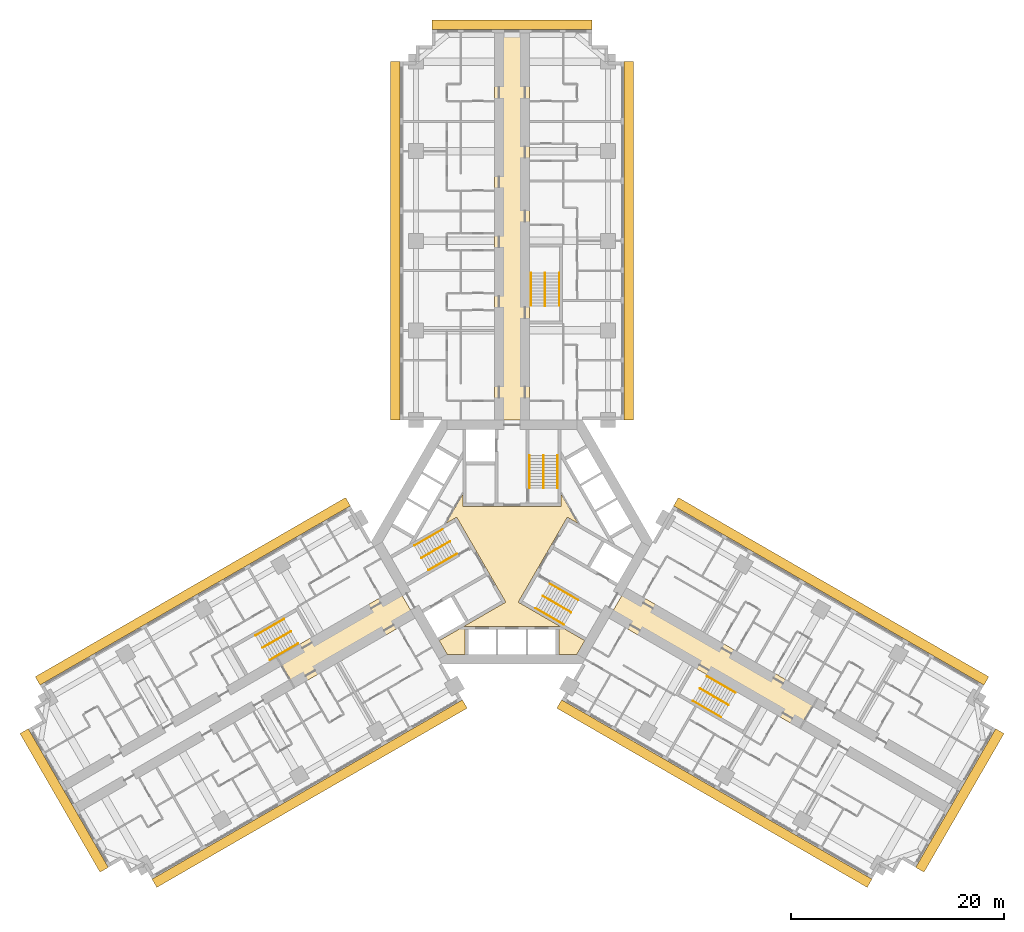
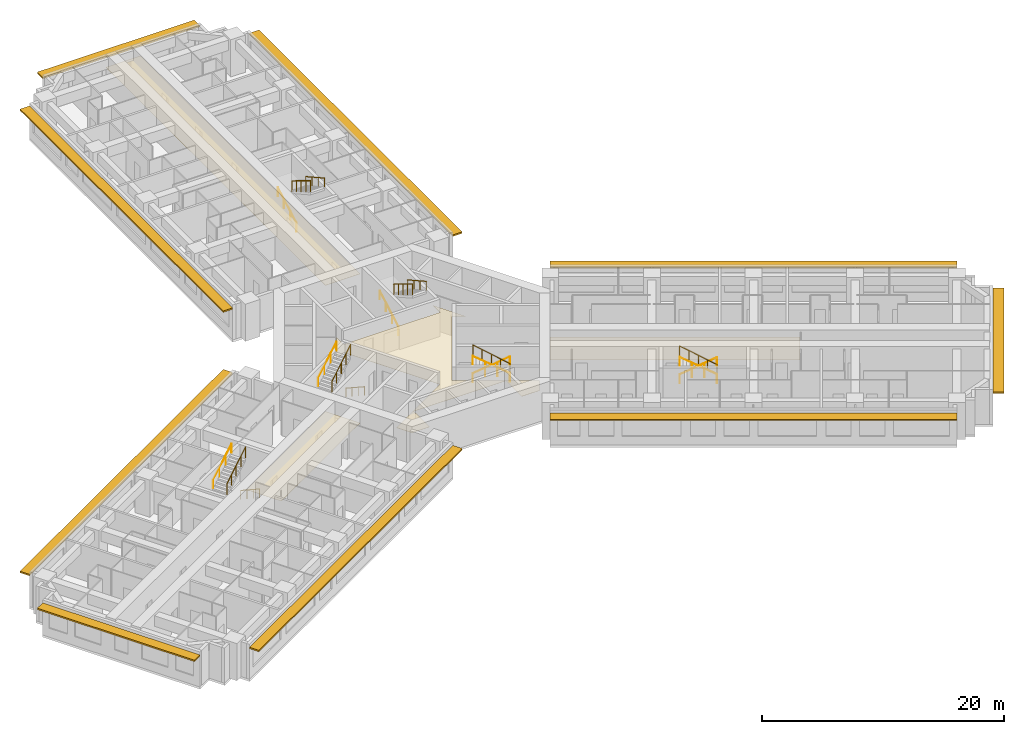
# One storey, part 16 of 16: 18 railings, 4 coverings, 3 shading devices.
"""IFC4 building model written with IfcOpenShell, lengths in metres."""

from ifc_helpers import new_model, si_unit, direction, frame, origin, origin_2d, place, context, subcontext, project, spatial, polyline, rectangle, circle, outline, extrude, material, layer, layer_set, type_object, element, save


model = new_model("IFC4")

# Units and contexts
model_context = context("Model", 3, precision=1e-05, world=origin(), true_north=direction((0.0, 1.0)))
body_context = subcontext(model_context, "Body", "Model", "MODEL_VIEW")
ifc_project = project(units=[si_unit("LENGTHUNIT", "METRE"), si_unit("AREAUNIT", "SQUARE_METRE"), si_unit("VOLUMEUNIT", "CUBIC_METRE"), si_unit("PLANEANGLEUNIT", "RADIAN"), si_unit("MASSUNIT", "GRAM", prefix="KILO")], contexts=[model_context])

# Site, building, storey
site_placement = place(None, origin())
site = spatial("IfcSite", under=ifc_project, at=site_placement, CompositionType="ELEMENT")
building_placement = place(site_placement, origin())
building = spatial("IfcBuilding", under=site, at=building_placement, Name="Impinga Residences", CompositionType="ELEMENT")
storey_placement = place(building_placement, frame((0.0, 0.0, 67.25)))
storey = spatial("IfcBuildingStorey", under=building, at=storey_placement, Name="L16", CompositionType="ELEMENT", Elevation=67.25)

# Coverings
ifc_material_1 = material(Name="Plasterboard 15 mm on steel hangers", Category="steel")
ifc_layer_1 = layer(ifc_material_1, 0.014892578125)
ifc_layer_set_1 = layer_set([ifc_layer_1], Name="Plasterboard 15 mm on steel hangers")
covering_type_1 = type_object("IfcCoveringType", Name="CL1 corridor ceiling, 15 mm plasterboard on hangers", PredefinedType="CEILING", material=ifc_layer_set_1)
covering_1_placement = place(storey_placement, frame((0.0, 0.0, 2.39990234375)))
element("IfcCovering", 1, at=covering_1_placement, inside=storey, type_object=covering_type_1, Name="Corridor ceiling CL1 L16-N00", PredefinedType="CEILING", context=body_context, shape_type="SweptSolid", body=[
    extrude(outline(polyline([(-1.64990234375, 11.431640625), (1.64990234375, 11.431640625), (1.64990234375, 47.7314453125), (-1.64990234375, 47.7314453125), (-1.64990234375, 11.431640625)])), origin(), (0.0, 0.0, 1.0), 0.01513671875),
])
covering_2_placement = place(storey_placement, frame((0.0, 0.0, 2.39990234375)))
element("IfcCovering", 2, at=covering_2_placement, inside=storey, type_object=covering_type_1, Name="Corridor ceiling CL1 L16-W00", PredefinedType="CEILING", context=body_context, shape_type="SweptSolid", body=[
    extrude(outline(polyline([(-10.72509765625, -4.286865234375), (-9.074951171875, -7.144775390625), (-20.349365234375, -13.654052734375), (-21.999267578125, -10.796142578125), (-10.72509765625, -4.286865234375)])), origin(), (0.0, 0.0, 1.0), 0.01513671875),
])
covering_3_placement = place(storey_placement, frame((0.0, 0.0, 2.39990234375)))
element("IfcCovering", 3, at=covering_3_placement, inside=storey, type_object=covering_type_1, Name="Corridor ceiling CL1 L16-E00", PredefinedType="CEILING", context=body_context, shape_type="SweptSolid", body=[
    extrude(outline(polyline([(9.074951171875, -7.144775390625), (10.72509765625, -4.286865234375), (28.60888671875, -14.612060546875), (26.958740234375, -17.469970703125), (9.074951171875, -7.144775390625)])), origin(), (0.0, 0.0, 1.0), 0.01513671875),
])
ifc_material_2 = material(Name="Mineral fibre tiles 20 mm on exposed grid", Category="mineral fibre")
ifc_layer_2 = layer(ifc_material_2, 0.02001953125)
ifc_layer_set_2 = layer_set([ifc_layer_2], Name="CL2 lift lobby ceiling, 20 mm mineral fibre tiles")
covering_type_2 = type_object("IfcCoveringType", Name="CL2 lift lobby ceiling, 20 mm mineral fibre tiles", PredefinedType="CEILING", material=ifc_layer_set_2)
covering_4_placement = place(storey_placement, frame((0.0, 0.0, 2.39990234375)))
element("IfcCovering", 4, at=covering_4_placement, inside=storey, type_object=covering_type_2, Name="Lift lobby ceiling CL2 L16-C01", PredefinedType="CEILING", context=body_context, shape_type="SweptSolid", body=[
    extrude(outline(polyline([(6.080322265625, -10.531494140625), (4.39990234375, -10.531494140625), (4.39990234375, -7.931640625), (-4.39990234375, -7.931640625), (-4.39990234375, -10.531494140625), (-6.080322265625, -10.531494140625), (-6.820556640625, -9.24951171875), (-0.583984375, -5.648681640625), (-5.183837890625, 2.318603515625), (-6.193359375, 1.73583984375), (-4.60009765625, 4.49560546875), (-4.60009765625, 3.330078125), (4.60009765625, 3.330078125), (4.60009765625, 4.49560546875), (6.193359375, 1.73583984375), (5.183837890625, 2.318603515625), (0.583984375, -5.648681640625), (6.820556640625, -9.24951171875), (6.080322265625, -10.531494140625)])), origin(), (0.0, 0.0, 1.0), 0.02001953125),
])

# Railings
ifc_material_3 = material(Name="Steel guard, powder coated", Category="steel")
railing_type_1 = type_object("IfcRailingType", Name="GR1 stair guard 1100", PredefinedType="GUARDRAIL", material=ifc_material_3)
railing_1_placement = place(storey_placement, frame((2.949951171875, 8.110107421875, 1.875)))
element("IfcRailing", 5, at=railing_1_placement, inside=storey, type_object=railing_type_1, Name="Stair guard GR1 ST1 L16", PredefinedType="GUARDRAIL", context=body_context, shape_type="SweptSolid", body=[
    extrude(circle(Radius=0.02392578125, at=origin_2d()), frame((0.0, 0.0, 1.076171875), z_axis=(0.0, -0.854177636135, 0.519981313056), x_axis=(1.0, 0.0, 0.0)), (0.0, 0.0, 1.0), 3.60595703125),
    extrude(circle(Radius=0.02099609375, at=origin_2d()), origin(), (0.0, 0.0, 1.0), 1.052001953125),
    extrude(circle(Radius=0.02099609375, at=origin_2d()), frame((0.0, -0.77001953125, 0.46875)), (0.0, 0.0, 1.0), 1.052001953125),
    extrude(circle(Radius=0.02099609375, at=origin_2d()), frame((0.0, -1.5400390625, 0.9375)), (0.0, 0.0, 1.0), 1.052001953125),
    extrude(circle(Radius=0.02099609375, at=origin_2d()), frame((0.0, -2.31005859375, 1.40625)), (0.0, 0.0, 1.0), 1.052001953125),
    extrude(circle(Radius=0.02099609375, at=origin_2d()), frame((0.0, -3.080078125, 1.875)), (0.0, 0.0, 1.0), 1.052001953125),
])
railing_2_placement = place(storey_placement, frame((-8.49853515625, -1.500244140625, 1.875)))
element("IfcRailing", 6, at=railing_2_placement, inside=storey, type_object=railing_type_1, Name="Stair guard GR1 ST2 L16", PredefinedType="GUARDRAIL", context=body_context, shape_type="SweptSolid", body=[
    extrude(circle(Radius=0.02392578125, at=origin_2d()), frame((0.0, 0.0, 1.076171875), z_axis=(0.739746383972, 0.427084037168, 0.519975492303), x_axis=(-0.499992328818, 0.866029832698, 0.0)), (0.0, 0.0, 1.0), 3.60595703125),
    extrude(circle(Radius=0.02099609375, at=origin_2d()), origin(), (0.0, 0.0, 1.0), 1.052001953125),
    extrude(circle(Radius=0.02099609375, at=origin_2d()), frame((0.6669921875, 0.385009765625, 0.46875)), (0.0, 0.0, 1.0), 1.052001953125),
    extrude(circle(Radius=0.02099609375, at=origin_2d()), frame((1.333740234375, 0.77001953125, 0.9375)), (0.0, 0.0, 1.0), 1.052001953125),
    extrude(circle(Radius=0.02099609375, at=origin_2d()), frame((2.00048828125, 1.155029296875, 1.40625)), (0.0, 0.0, 1.0), 1.052001953125),
    extrude(circle(Radius=0.02099609375, at=origin_2d()), frame((2.66748046875, 1.5400390625, 1.875)), (0.0, 0.0, 1.0), 1.052001953125),
])
railing_3_placement = place(storey_placement, frame((5.548583984375, -6.60986328125, 1.875)))
element("IfcRailing", 7, at=railing_3_placement, inside=storey, type_object=railing_type_1, Name="Stair guard GR1 ST3 L16", PredefinedType="GUARDRAIL", context=body_context, shape_type="SweptSolid", body=[
    extrude(circle(Radius=0.02392578125, at=origin_2d()), frame((0.0, 0.0, 1.076171875), z_axis=(-0.739746383972, 0.427084037168, 0.519975492303), x_axis=(-0.499992328818, -0.866029832698, 0.0)), (0.0, 0.0, 1.0), 3.60595703125),
    extrude(circle(Radius=0.02099609375, at=origin_2d()), origin(), (0.0, 0.0, 1.0), 1.052001953125),
    extrude(circle(Radius=0.02099609375, at=origin_2d()), frame((-0.6669921875, 0.385009765625, 0.46875)), (0.0, 0.0, 1.0), 1.052001953125),
    extrude(circle(Radius=0.02099609375, at=origin_2d()), frame((-1.333740234375, 0.77001953125, 0.9375)), (0.0, 0.0, 1.0), 1.052001953125),
    extrude(circle(Radius=0.02099609375, at=origin_2d()), frame((-2.00048828125, 1.155029296875, 1.40625)), (0.0, 0.0, 1.0), 1.052001953125),
    extrude(circle(Radius=0.02099609375, at=origin_2d()), frame((-2.66748046875, 1.5400390625, 1.875)), (0.0, 0.0, 1.0), 1.052001953125),
])
railing_4_placement = place(storey_placement, frame((3.10009765625, 25.21142578125, 1.875)))
element("IfcRailing", 8, at=railing_4_placement, inside=storey, type_object=railing_type_1, Name="Stair guard GR1 WS1 L16", PredefinedType="GUARDRAIL", context=body_context, shape_type="SweptSolid", body=[
    extrude(circle(Radius=0.02392578125, at=origin_2d()), frame((0.0, 0.0, 1.076171875), z_axis=(0.0, -0.854159328187, 0.520011386482), x_axis=(1.0, 0.0, 0.0)), (0.0, 0.0, 1.0), 3.605712890625),
    extrude(circle(Radius=0.02099609375, at=origin_2d()), origin(), (0.0, 0.0, 1.0), 1.052001953125),
    extrude(circle(Radius=0.02099609375, at=origin_2d()), frame((0.0, -0.77001953125, 0.46875)), (0.0, 0.0, 1.0), 1.052001953125),
    extrude(circle(Radius=0.02099609375, at=origin_2d()), frame((0.0, -1.5400390625, 0.9375)), (0.0, 0.0, 1.0), 1.052001953125),
    extrude(circle(Radius=0.02099609375, at=origin_2d()), frame((0.0, -2.309814453125, 1.40625)), (0.0, 0.0, 1.0), 1.052001953125),
    extrude(circle(Radius=0.02099609375, at=origin_2d()), frame((0.0, -3.079833984375, 1.875)), (0.0, 0.0, 1.0), 1.052001953125),
])
railing_5_placement = place(storey_placement, frame((-23.3837890625, -9.921142578125, 1.875)))
element("IfcRailing", 9, at=railing_5_placement, inside=storey, type_object=railing_type_1, Name="Stair guard GR1 WS2 L16", PredefinedType="GUARDRAIL", context=body_context, shape_type="SweptSolid", body=[
    extrude(circle(Radius=0.02392578125, at=origin_2d()), frame((0.0, 0.0, 1.076171875), z_axis=(0.739715726454, 0.427105428144, 0.52000153585), x_axis=(-0.500026652407, 0.866010015463, 0.0)), (0.0, 0.0, 1.0), 3.605712890625),
    extrude(circle(Radius=0.02099609375, at=origin_2d()), origin(), (0.0, 0.0, 1.0), 1.052001953125),
    extrude(circle(Radius=0.02099609375, at=origin_2d()), frame((0.666748046875, 0.385009765625, 0.46875)), (0.0, 0.0, 1.0), 1.052001953125),
    extrude(circle(Radius=0.02099609375, at=origin_2d()), frame((1.33349609375, 0.77001953125, 0.9375)), (0.0, 0.0, 1.0), 1.052001953125),
    extrude(circle(Radius=0.02099609375, at=origin_2d()), frame((2.00048828125, 1.155029296875, 1.40625)), (0.0, 0.0, 1.0), 1.052001953125),
    extrude(circle(Radius=0.02099609375, at=origin_2d()), frame((2.667236328125, 1.5400390625, 1.875)), (0.0, 0.0, 1.0), 1.052001953125),
])
railing_6_placement = place(storey_placement, frame((20.283935546875, -15.29052734375, 1.875)))
element("IfcRailing", 10, at=railing_6_placement, inside=storey, type_object=railing_type_1, Name="Stair guard GR1 WS3 L16", PredefinedType="GUARDRAIL", context=body_context, shape_type="SweptSolid", body=[
    extrude(circle(Radius=0.02392578125, at=origin_2d()), frame((0.0, 0.0, 1.076171875), z_axis=(-0.739746383972, 0.427084037168, 0.519975492303), x_axis=(-0.499992328818, -0.866029832698, 0.0)), (0.0, 0.0, 1.0), 3.60595703125),
    extrude(circle(Radius=0.02099609375, at=origin_2d()), origin(), (0.0, 0.0, 1.0), 1.052001953125),
    extrude(circle(Radius=0.02099609375, at=origin_2d()), frame((-0.6669921875, 0.385009765625, 0.46875)), (0.0, 0.0, 1.0), 1.052001953125),
    extrude(circle(Radius=0.02099609375, at=origin_2d()), frame((-1.333740234375, 0.77001953125, 0.9375)), (0.0, 0.0, 1.0), 1.052001953125),
    extrude(circle(Radius=0.02099609375, at=origin_2d()), frame((-2.00048828125, 1.155029296875, 1.40625)), (0.0, 0.0, 1.0), 1.052001953125),
    extrude(circle(Radius=0.02099609375, at=origin_2d()), frame((-2.66748046875, 1.5400390625, 1.875)), (0.0, 0.0, 1.0), 1.052001953125),
])
ifc_material_4 = material(Name="Steel handrail tube 42 mm, powder coated", Category="steel")
railing_type_2 = type_object("IfcRailingType", Name="HR1 stair handrail, 42 mm steel tube, 900 above the pitch line", PredefinedType="HANDRAIL", material=ifc_material_4)
railing_7_placement = place(storey_placement, frame((1.62109375, 5.030029296875, 0.15625)))
element("IfcRailing", 11, at=railing_7_placement, inside=storey, type_object=railing_type_2, Name="Stair handrail HR1 ST1 L16", PredefinedType="HANDRAIL", context=body_context, shape_type="SweptSolid", body=[
    extrude(circle(Radius=0.02099609375, at=origin_2d()), frame((0.0, 0.0, 0.87890625), z_axis=(0.0, 0.873241540666, 0.487287606713), x_axis=(-1.0, 0.0, 0.0)), (0.0, 0.0, 1.0), 3.527099609375),
    extrude(circle(Radius=0.012451171875, at=origin_2d()), origin(), (0.0, 0.0, 1.0), 0.85791015625),
    extrude(circle(Radius=0.012451171875, at=origin_2d()), frame((0.0, 1.026611328125, 0.572998046875)), (0.0, 0.0, 1.0), 0.85791015625),
    extrude(circle(Radius=0.012451171875, at=origin_2d()), frame((0.0, 2.053466796875, 1.145751953125)), (0.0, 0.0, 1.0), 0.85791015625),
    extrude(circle(Radius=0.012451171875, at=origin_2d()), frame((0.0, 3.080078125, 1.71875)), (0.0, 0.0, 1.0), 0.85791015625),
])
railing_8_placement = place(storey_placement, frame((4.279052734375, 8.110107421875, 2.03125)))
element("IfcRailing", 12, at=railing_8_placement, inside=storey, type_object=railing_type_2, Name="Stair handrail HR1 ST1 L16", PredefinedType="HANDRAIL", context=body_context, shape_type="SweptSolid", body=[
    extrude(circle(Radius=0.02099609375, at=origin_2d()), frame((0.0, 0.0, 0.87890625), z_axis=(0.0, -0.873241540666, 0.487287606713), x_axis=(1.0, 0.0, 0.0)), (0.0, 0.0, 1.0), 3.527099609375),
    extrude(circle(Radius=0.012451171875, at=origin_2d()), origin(), (0.0, 0.0, 1.0), 0.85791015625),
    extrude(circle(Radius=0.012451171875, at=origin_2d()), frame((0.0, -1.026611328125, 0.572998046875)), (0.0, 0.0, 1.0), 0.85791015625),
    extrude(circle(Radius=0.012451171875, at=origin_2d()), frame((0.0, -2.053466796875, 1.145751953125)), (0.0, 0.0, 1.0), 0.85791015625),
    extrude(circle(Radius=0.012451171875, at=origin_2d()), frame((0.0, -3.080078125, 1.71875)), (0.0, 0.0, 1.0), 0.85791015625),
])
railing_9_placement = place(storey_placement, frame((-5.16650390625, -1.111083984375, 0.15625)))
element("IfcRailing", 13, at=railing_9_placement, inside=storey, type_object=railing_type_2, Name="Stair handrail HR1 ST2 L16", PredefinedType="HANDRAIL", context=body_context, shape_type="SweptSolid", body=[
    extrude(circle(Radius=0.02099609375, at=origin_2d()), frame((0.0, 0.0, 0.87890625), z_axis=(-0.756255980417, -0.436615662133, 0.487281905742), x_axis=(0.499992328818, -0.866029832698, 0.0)), (0.0, 0.0, 1.0), 3.527099609375),
    extrude(circle(Radius=0.012451171875, at=origin_2d()), origin(), (0.0, 0.0, 1.0), 0.85791015625),
    extrude(circle(Radius=0.012451171875, at=origin_2d()), frame((-0.88916015625, -0.513427734375, 0.572998046875)), (0.0, 0.0, 1.0), 0.85791015625),
    extrude(circle(Radius=0.012451171875, at=origin_2d()), frame((-1.7783203125, -1.026611328125, 1.145751953125)), (0.0, 0.0, 1.0), 0.85791015625),
    extrude(circle(Radius=0.012451171875, at=origin_2d()), frame((-2.66748046875, -1.5400390625, 1.71875)), (0.0, 0.0, 1.0), 0.85791015625),
])
railing_10_placement = place(storey_placement, frame((-9.1630859375, -0.349365234375, 2.03125)))
element("IfcRailing", 14, at=railing_10_placement, inside=storey, type_object=railing_type_2, Name="Stair handrail HR1 ST2 L16", PredefinedType="HANDRAIL", context=body_context, shape_type="SweptSolid", body=[
    extrude(circle(Radius=0.02099609375, at=origin_2d()), frame((0.0, 0.0, 0.87890625), z_axis=(0.756255980417, 0.436615662133, 0.487281905742), x_axis=(-0.499992328818, 0.866029832698, 0.0)), (0.0, 0.0, 1.0), 3.527099609375),
    extrude(circle(Radius=0.012451171875, at=origin_2d()), origin(), (0.0, 0.0, 1.0), 0.85791015625),
    extrude(circle(Radius=0.012451171875, at=origin_2d()), frame((0.88916015625, 0.513427734375, 0.572998046875)), (0.0, 0.0, 1.0), 0.85791015625),
    extrude(circle(Radius=0.012451171875, at=origin_2d()), frame((1.7783203125, 1.026611328125, 1.145751953125)), (0.0, 0.0, 1.0), 0.85791015625),
    extrude(circle(Radius=0.012451171875, at=origin_2d()), frame((2.66748046875, 1.5400390625, 1.71875)), (0.0, 0.0, 1.0), 0.85791015625),
])
railing_11_placement = place(storey_placement, frame((3.545654296875, -3.9189453125, 0.15625)))
element("IfcRailing", 15, at=railing_11_placement, inside=storey, type_object=railing_type_2, Name="Stair handrail HR1 ST3 L16", PredefinedType="HANDRAIL", context=body_context, shape_type="SweptSolid", body=[
    extrude(circle(Radius=0.02099609375, at=origin_2d()), frame((0.0, 0.0, 0.87890625), z_axis=(0.756249203677, -0.436582492228, 0.487322141317), x_axis=(0.499967199496, 0.866044340336, 0.0)), (0.0, 0.0, 1.0), 3.52685546875),
    extrude(circle(Radius=0.012451171875, at=origin_2d()), origin(), (0.0, 0.0, 1.0), 0.85791015625),
    extrude(circle(Radius=0.012451171875, at=origin_2d()), frame((0.88916015625, -0.51318359375, 0.572998046875)), (0.0, 0.0, 1.0), 0.85791015625),
    extrude(circle(Radius=0.012451171875, at=origin_2d()), frame((1.778076171875, -1.026611328125, 1.145751953125)), (0.0, 0.0, 1.0), 0.85791015625),
    extrude(circle(Radius=0.012451171875, at=origin_2d()), frame((2.667236328125, -1.539794921875, 1.71875)), (0.0, 0.0, 1.0), 0.85791015625),
])
railing_12_placement = place(storey_placement, frame((4.884033203125, -7.7607421875, 2.03125)))
element("IfcRailing", 16, at=railing_12_placement, inside=storey, type_object=railing_type_2, Name="Stair handrail HR1 ST3 L16", PredefinedType="HANDRAIL", context=body_context, shape_type="SweptSolid", body=[
    extrude(circle(Radius=0.02099609375, at=origin_2d()), frame((0.0, 0.0, 0.87890625), z_axis=(-0.756255980417, 0.436615662133, 0.487281905742), x_axis=(-0.499992328818, -0.866029832698, 0.0)), (0.0, 0.0, 1.0), 3.527099609375),
    extrude(circle(Radius=0.012451171875, at=origin_2d()), origin(), (0.0, 0.0, 1.0), 0.85791015625),
    extrude(circle(Radius=0.012451171875, at=origin_2d()), frame((-0.88916015625, 0.513427734375, 0.572998046875)), (0.0, 0.0, 1.0), 0.85791015625),
    extrude(circle(Radius=0.012451171875, at=origin_2d()), frame((-1.7783203125, 1.026611328125, 1.145751953125)), (0.0, 0.0, 1.0), 0.85791015625),
    extrude(circle(Radius=0.012451171875, at=origin_2d()), frame((-2.66748046875, 1.5400390625, 1.71875)), (0.0, 0.0, 1.0), 0.85791015625),
])
railing_13_placement = place(storey_placement, frame((1.77099609375, 22.131591796875, 0.15625)))
element("IfcRailing", 17, at=railing_13_placement, inside=storey, type_object=railing_type_2, Name="Stair handrail HR1 WS1 L16", PredefinedType="HANDRAIL", context=body_context, shape_type="SweptSolid", body=[
    extrude(circle(Radius=0.02099609375, at=origin_2d()), frame((0.0, 0.0, 0.87890625), z_axis=(0.0, 0.873225103656, 0.487317061414), x_axis=(-1.0, 0.0, 0.0)), (0.0, 0.0, 1.0), 3.52685546875),
    extrude(circle(Radius=0.012451171875, at=origin_2d()), origin(), (0.0, 0.0, 1.0), 0.85791015625),
    extrude(circle(Radius=0.012451171875, at=origin_2d()), frame((0.0, 1.026611328125, 0.572998046875)), (0.0, 0.0, 1.0), 0.85791015625),
    extrude(circle(Radius=0.012451171875, at=origin_2d()), frame((0.0, 2.05322265625, 1.145751953125)), (0.0, 0.0, 1.0), 0.85791015625),
    extrude(circle(Radius=0.012451171875, at=origin_2d()), frame((0.0, 3.079833984375, 1.71875)), (0.0, 0.0, 1.0), 0.85791015625),
])
railing_14_placement = place(storey_placement, frame((4.428955078125, 25.21142578125, 2.03125)))
element("IfcRailing", 18, at=railing_14_placement, inside=storey, type_object=railing_type_2, Name="Stair handrail HR1 WS1 L16", PredefinedType="HANDRAIL", context=body_context, shape_type="SweptSolid", body=[
    extrude(circle(Radius=0.02099609375, at=origin_2d()), frame((0.0, 0.0, 0.87890625), z_axis=(0.0, -0.873225103656, 0.487317061414), x_axis=(1.0, 0.0, 0.0)), (0.0, 0.0, 1.0), 3.52685546875),
    extrude(circle(Radius=0.012451171875, at=origin_2d()), origin(), (0.0, 0.0, 1.0), 0.85791015625),
    extrude(circle(Radius=0.012451171875, at=origin_2d()), frame((0.0, -1.026611328125, 0.572998046875)), (0.0, 0.0, 1.0), 0.85791015625),
    extrude(circle(Radius=0.012451171875, at=origin_2d()), frame((0.0, -2.05322265625, 1.145751953125)), (0.0, 0.0, 1.0), 0.85791015625),
    extrude(circle(Radius=0.012451171875, at=origin_2d()), frame((0.0, -3.079833984375, 1.71875)), (0.0, 0.0, 1.0), 0.85791015625),
])
railing_15_placement = place(storey_placement, frame((-20.052001953125, -9.531982421875, 0.15625)))
element("IfcRailing", 19, at=railing_15_placement, inside=storey, type_object=railing_type_2, Name="Stair handrail HR1 WS2 L16", PredefinedType="HANDRAIL", context=body_context, shape_type="SweptSolid", body=[
    extrude(circle(Radius=0.02099609375, at=origin_2d()), frame((0.0, 0.0, 0.87890625), z_axis=(-0.756226348243, -0.436638517594, 0.487307413422), x_axis=(0.500026652407, -0.866010015463, 0.0)), (0.0, 0.0, 1.0), 3.527099609375),
    extrude(circle(Radius=0.012451171875, at=origin_2d()), origin(), (0.0, 0.0, 1.0), 0.85791015625),
    extrude(circle(Radius=0.012451171875, at=origin_2d()), frame((-0.88916015625, -0.513427734375, 0.572998046875)), (0.0, 0.0, 1.0), 0.85791015625),
    extrude(circle(Radius=0.012451171875, at=origin_2d()), frame((-1.778076171875, -1.026611328125, 1.145751953125)), (0.0, 0.0, 1.0), 0.85791015625),
    extrude(circle(Radius=0.012451171875, at=origin_2d()), frame((-2.667236328125, -1.5400390625, 1.71875)), (0.0, 0.0, 1.0), 0.85791015625),
])
railing_16_placement = place(storey_placement, frame((-24.04833984375, -8.77001953125, 2.03125)))
element("IfcRailing", 20, at=railing_16_placement, inside=storey, type_object=railing_type_2, Name="Stair handrail HR1 WS2 L16", PredefinedType="HANDRAIL", context=body_context, shape_type="SweptSolid", body=[
    extrude(circle(Radius=0.02099609375, at=origin_2d()), frame((0.0, 0.0, 0.87890625), z_axis=(0.756278834354, 0.436559638319, 0.487296631324), x_axis=(-0.499932877268, 0.866064153644, 0.0)), (0.0, 0.0, 1.0), 3.527099609375),
    extrude(circle(Radius=0.012451171875, at=origin_2d()), origin(), (0.0, 0.0, 1.0), 0.85791015625),
    extrude(circle(Radius=0.012451171875, at=origin_2d()), frame((0.88916015625, 0.51318359375, 0.572998046875)), (0.0, 0.0, 1.0), 0.85791015625),
    extrude(circle(Radius=0.012451171875, at=origin_2d()), frame((1.7783203125, 1.026611328125, 1.145751953125)), (0.0, 0.0, 1.0), 0.85791015625),
    extrude(circle(Radius=0.012451171875, at=origin_2d()), frame((2.66748046875, 1.539794921875, 1.71875)), (0.0, 0.0, 1.0), 0.85791015625),
])
railing_17_placement = place(storey_placement, frame((18.281005859375, -12.599609375, 0.15625)))
element("IfcRailing", 21, at=railing_17_placement, inside=storey, type_object=railing_type_2, Name="Stair handrail HR1 WS3 L16", PredefinedType="HANDRAIL", context=body_context, shape_type="SweptSolid", body=[
    extrude(circle(Radius=0.02099609375, at=origin_2d()), frame((0.0, 0.0, 0.87890625), z_axis=(0.756249203677, -0.436582492228, 0.487322141317), x_axis=(0.499967199496, 0.866044340336, 0.0)), (0.0, 0.0, 1.0), 3.52685546875),
    extrude(circle(Radius=0.012451171875, at=origin_2d()), origin(), (0.0, 0.0, 1.0), 0.85791015625),
    extrude(circle(Radius=0.012451171875, at=origin_2d()), frame((0.88916015625, -0.51318359375, 0.572998046875)), (0.0, 0.0, 1.0), 0.85791015625),
    extrude(circle(Radius=0.012451171875, at=origin_2d()), frame((1.778076171875, -1.026611328125, 1.145751953125)), (0.0, 0.0, 1.0), 0.85791015625),
    extrude(circle(Radius=0.012451171875, at=origin_2d()), frame((2.667236328125, -1.539794921875, 1.71875)), (0.0, 0.0, 1.0), 0.85791015625),
])
railing_18_placement = place(storey_placement, frame((19.619384765625, -16.44140625, 2.03125)))
element("IfcRailing", 22, at=railing_18_placement, inside=storey, type_object=railing_type_2, Name="Stair handrail HR1 WS3 L16", PredefinedType="HANDRAIL", context=body_context, shape_type="SweptSolid", body=[
    extrude(circle(Radius=0.02099609375, at=origin_2d()), frame((0.0, 0.0, 0.87890625), z_axis=(-0.756255980417, 0.436615662133, 0.487281905742), x_axis=(-0.499992328818, -0.866029832698, 0.0)), (0.0, 0.0, 1.0), 3.527099609375),
    extrude(circle(Radius=0.012451171875, at=origin_2d()), origin(), (0.0, 0.0, 1.0), 0.85791015625),
    extrude(circle(Radius=0.012451171875, at=origin_2d()), frame((-0.88916015625, 0.513427734375, 0.572998046875)), (0.0, 0.0, 1.0), 0.85791015625),
    extrude(circle(Radius=0.012451171875, at=origin_2d()), frame((-1.7783203125, 1.026611328125, 1.145751953125)), (0.0, 0.0, 1.0), 0.85791015625),
    extrude(circle(Radius=0.012451171875, at=origin_2d()), frame((-2.66748046875, 1.5400390625, 1.71875)), (0.0, 0.0, 1.0), 0.85791015625),
])

# Shading devices
ifc_material_5 = material(Name="Terracotta sunshade blades on aluminium brackets", Category="masonry")
ifc_layer_3 = layer(ifc_material_5, 0.14990234375)
ifc_layer_set_3 = layer_set([ifc_layer_3], Name="SS1 SUNSHADE terracotta sunshade band 900")
shading_device_type = type_object("IfcShadingDeviceType", Name="SS1 SUNSHADE terracotta sunshade band 900", PredefinedType="USERDEFINED", material=ifc_layer_set_3)
shading_device_1_placement = place(storey_placement, frame((-10.949951171875, 28.2314453125, 3.10009765625), z_axis=(0.0, 0.0, 1.0), x_axis=(0.0, 1.0, 0.0)))
element("IfcShadingDevice", 23, at=shading_device_1_placement, inside=storey, type_object=shading_device_type, Name="SUNSHADE band L16 NORTH WING", ObjectType="SUNSHADE", PredefinedType="USERDEFINED", context=body_context, shape_type="SweptSolid", body=[
    extrude(rectangle(XDim=33.60009765625, YDim=0.89990234375, at=origin_2d()), origin(), (0.0, 0.0, 1.0), 0.14990234375),
    extrude(rectangle(XDim=15.0, YDim=0.89990234375, at=origin_2d()), frame((20.25, -10.949951171875, 0.0), z_axis=(0.0, 0.0, 1.0), x_axis=(0.0, -1.0, 0.0)), (0.0, 0.0, 1.0), 0.14990234375),
    extrude(rectangle(XDim=33.60009765625, YDim=0.89990234375, at=origin_2d()), frame((0.0, -21.89990234375, 0.0), z_axis=(0.0, 0.0, 1.0), x_axis=(-1.0, 0.0, 0.0)), (0.0, 0.0, 1.0), 0.14990234375),
])
shading_device_2_placement = place(storey_placement, frame((-41.986328125, -24.24072265625, 3.10009765625), z_axis=(0.0, 0.0, 1.0), x_axis=(-0.5, 0.866025403784, 0.0)))
element("IfcShadingDevice", 24, at=shading_device_2_placement, inside=storey, type_object=shading_device_type, Name="SUNSHADE band L16 WEST WING", ObjectType="SUNSHADE", PredefinedType="USERDEFINED", context=body_context, shape_type="SweptSolid", body=[
    extrude(rectangle(XDim=15.0, YDim=0.89990234375, at=origin_2d()), origin(), (0.0, 0.0, 1.0), 0.14990234375),
    extrude(rectangle(XDim=33.60009765625, YDim=0.89990234375, at=origin_2d()), frame((10.949951171875, -20.25, 0.0), z_axis=(0.0, 0.0, 1.0), x_axis=(0.0, -1.0, 0.0)), (0.0, 0.0, 1.0), 0.14990234375),
    extrude(rectangle(XDim=33.60009765625, YDim=0.89990234375, at=origin_2d()), frame((-10.949951171875, -20.250244140625, 0.0), z_axis=(0.0, 0.0, 1.0), x_axis=(0.0, 1.0, 0.0)), (0.0, 0.0, 1.0), 0.14990234375),
])
shading_device_3_placement = place(storey_placement, frame((29.92431640625, -4.6328125, 3.10009765625), z_axis=(0.0, 0.0, 1.0), x_axis=(0.866025403784, -0.5, 0.0)))
element("IfcShadingDevice", 25, at=shading_device_3_placement, inside=storey, type_object=shading_device_type, Name="SUNSHADE band L16 EAST WING", ObjectType="SUNSHADE", PredefinedType="USERDEFINED", context=body_context, shape_type="SweptSolid", body=[
    extrude(rectangle(XDim=33.60009765625, YDim=0.89990234375, at=origin_2d()), origin(), (0.0, 0.0, 1.0), 0.14990234375),
    extrude(rectangle(XDim=15.0, YDim=0.89990234375, at=origin_2d()), frame((20.25, -10.949951171875, 0.0), z_axis=(0.0, 0.0, 1.0), x_axis=(0.0, -1.0, 0.0)), (0.0, 0.0, 1.0), 0.14990234375),
    extrude(rectangle(XDim=33.60009765625, YDim=0.89990234375, at=origin_2d()), frame((-0.000244140625, -21.89990234375, 0.0), z_axis=(0.0, 0.0, 1.0), x_axis=(-1.0, 0.0, 0.0)), (0.0, 0.0, 1.0), 0.14990234375),
])

save(model, "model.ifc")
